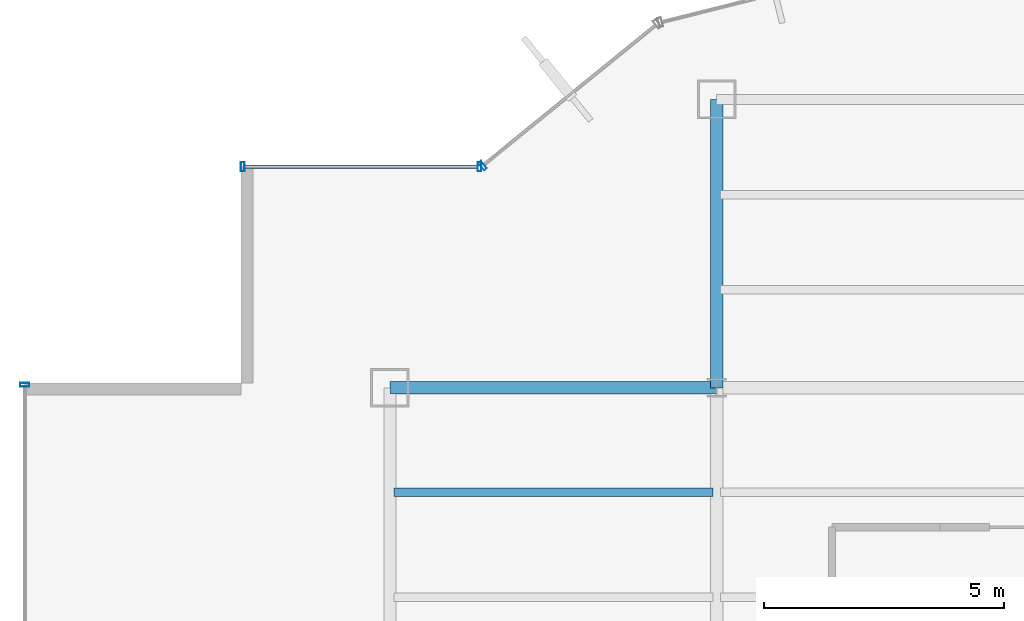
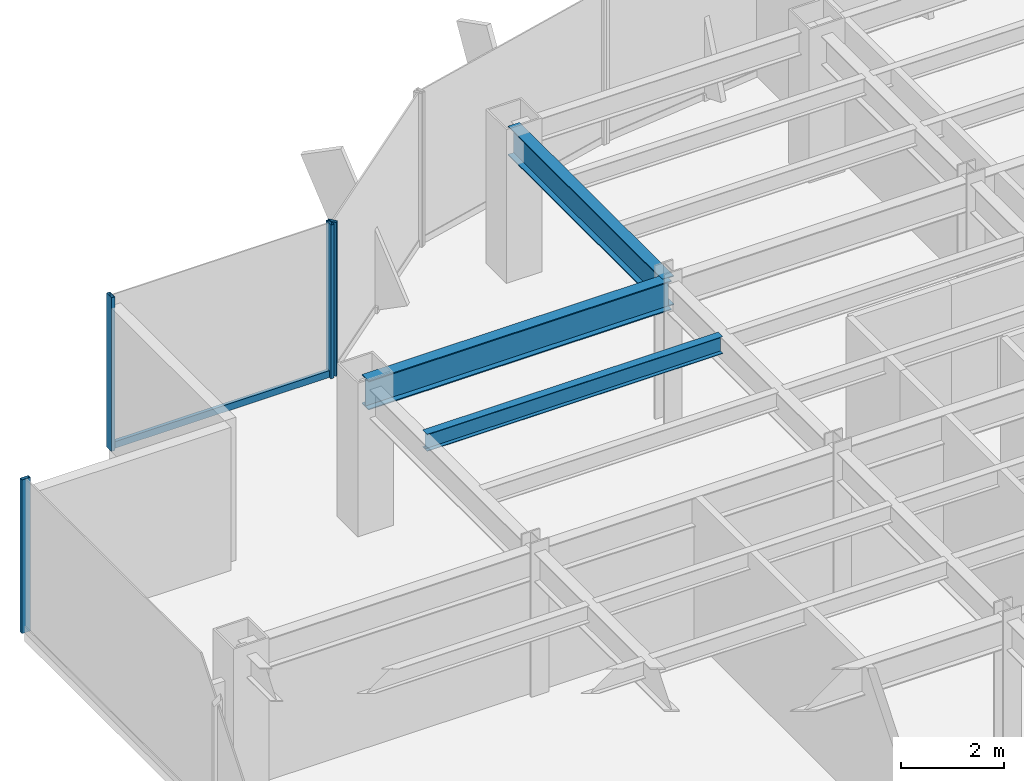
# One storey, part 13 of 26: 5 members, 3 beams, 3 elements without a shape of their own.
"""IFC4 building model written with IfcOpenShell, lengths in metres."""

from ifc_helpers import new_model, si_unit, derived_unit, direction, frame, origin, origin_2d, place, context, subcontext, project, spatial, hollow_rectangle, i_section, extrude, source, transform, mapped, material, material_profile, profile_set, type_object, element, aggregate, save


model = new_model("IFC4")

# Units and contexts
model_context = context("Model", 3, precision=1e-05, world=origin(), true_north=direction((0.0, 1.0)))
body_context = subcontext(model_context, "Body", "Model", "MODEL_VIEW")
ifc_project = project(units=[si_unit("LENGTHUNIT", "METRE"), si_unit("AREAUNIT", "SQUARE_METRE"), si_unit("VOLUMEUNIT", "CUBIC_METRE"), si_unit("PLANEANGLEUNIT", "RADIAN"), si_unit("MASSUNIT", "GRAM", prefix="KILO"), derived_unit("THERMALTRANSMITTANCEUNIT", [(si_unit("POWERUNIT", "WATT"), 1), (si_unit("LENGTHUNIT", "METRE"), -2), (si_unit("THERMODYNAMICTEMPERATUREUNIT", "KELVIN"), -1)])], contexts=[model_context])

# Site, building, storey
site_placement = place(None, origin())
site = spatial("IfcSite", under=ifc_project, at=site_placement, CompositionType="ELEMENT")
building_placement = place(site_placement, origin())
building = spatial("IfcBuilding", under=site, at=building_placement, Name="Skarnbrae Concourse Arena and Tower", CompositionType="ELEMENT")
storey_placement = place(building_placement, frame((0.0, 0.0, 128.800048828125)))
storey = spatial("IfcBuildingStorey", under=building, at=storey_placement, Name="L32", CompositionType="ELEMENT", Elevation=128.800048828125)

# Beams
ifc_material_1 = material(Name="Steel CSA G40.21 350W", Category="steel")
ifc_material_profile_1 = material_profile(ifc_material_1, i_section(OverallWidth=0.256103515625, OverallDepth=0.693115234375, WebThickness=0.014404296875, FlangeThickness=0.023681640625, at=origin_2d()), Name="W690X170")
ifc_profile_set_1 = profile_set([ifc_material_profile_1], Name="Steel CSA G40.21 350W")
beam_type_1 = type_object("IfcBeamType", Name="BM-GIRD-W690X170", PredefinedType="BEAM", material=ifc_profile_set_1)
shared_shape_1 = source(origin(), body_context, "Body", "SweptSolid", [
    extrude(i_section(OverallWidth=0.256103515625, OverallDepth=0.693115234375, WebThickness=0.014404296875, FlangeThickness=0.023681640625, at=origin_2d()), origin(), (0.0, 0.0, 1.0), 6.7998046875),
])
beam_1_placement = place(storey_placement, frame((7.60009765625, 34.39990234375, 3.053466796875), z_axis=(1.0, 0.0, 0.0), x_axis=(0.0, 1.0, 0.0)))
element("IfcBeam", 1, at=beam_1_placement, inside=storey, type_object=beam_type_1, Name="L32 Primary E-W girder Y34.4-1", PredefinedType="BEAM", context=body_context, shape_type="MappedRepresentation", body=[
    mapped(shared_shape_1, transform((0.0, 0.0, 0.0))),
])
shared_shape_2 = source(origin(), body_context, "Body", "SweptSolid", [
    extrude(i_section(OverallWidth=0.256103515625, OverallDepth=0.693115234375, WebThickness=0.014404296875, FlangeThickness=0.023681640625, at=origin_2d()), origin(), (0.0, 0.0, 1.0), 6.0),
])
beam_2_placement = place(storey_placement, frame((14.39990234375, 34.39990234375, 3.053466796875), z_axis=(0.0, 1.0, 0.0), x_axis=(-1.0, 0.0, 0.0)))
element("IfcBeam", 2, at=beam_2_placement, inside=storey, type_object=beam_type_1, Name="L32 Primary N-S girder X14.4-4", PredefinedType="BEAM", context=body_context, shape_type="MappedRepresentation", body=[
    mapped(shared_shape_2, transform((0.0, 0.0, 0.0))),
])
ifc_material_profile_2 = material_profile(ifc_material_1, i_section(OverallWidth=0.177978515625, OverallDepth=0.406982421875, WebThickness=0.0078125, FlangeThickness=0.0126953125, at=origin_2d()), Name="W410X60")
ifc_profile_set_2 = profile_set([ifc_material_profile_2], Name="Steel CSA G40.21 350W")
beam_type_2 = type_object("IfcBeamType", Name="BM-JOIST-W410X60", PredefinedType="JOIST", material=ifc_profile_set_2)
shared_shape_3 = source(origin(), body_context, "Body", "SweptSolid", [
    extrude(i_section(OverallWidth=0.177978515625, OverallDepth=0.406982421875, WebThickness=0.0078125, FlangeThickness=0.0126953125, at=origin_2d()), origin(), (0.0, 0.0, 1.0), 6.64013671875),
])
beam_3_placement = place(storey_placement, frame((7.679931640625, 32.221923828125, 3.196533203125), z_axis=(1.0, 0.0, 0.0), x_axis=(0.0, 1.0, 0.0)))
element("IfcBeam", 3, at=beam_3_placement, inside=storey, type_object=beam_type_2, Name="L32 Secondary floor joist 3.2.1", PredefinedType="JOIST", context=body_context, shape_type="MappedRepresentation", body=[
    mapped(shared_shape_3, transform((0.0, 0.0, 0.0))),
])

# Curtain wall, member
ifc_material_2 = material(Name="Bronze anodised aluminium 6063-T6", Category="aluminium")
curtain_wall_type = type_object("IfcCurtainWallType", Name="CW-SYS-04-MIDZONE", PredefinedType="USERDEFINED", material=ifc_material_2)
curtain_wall_1_placement = place(storey_placement, origin())
curtain_wall_1 = element("IfcCurtainWall", 4, at=curtain_wall_1_placement, inside=storey, type_object=curtain_wall_type, Name="L32 Unitised curtain wall CW-L32-E16", ObjectType="UNITISED CURTAIN WALL", PredefinedType="USERDEFINED")
ifc_material_profile_3 = material_profile(ifc_material_2, hollow_rectangle(XDim=0.074951171875, YDim=0.159912109375, WallThickness=0.00439453125, at=origin_2d()), Name="ALU-TRAN-75X160")
ifc_profile_set_3 = profile_set([ifc_material_profile_3], Name="Bronze anodised aluminium 6063-T6")
member_type_1 = type_object("IfcMemberType", Name="CWT-CW-04", PredefinedType="USERDEFINED", material=ifc_profile_set_3)
shared_shape_4 = source(origin(), body_context, "Body", "SweptSolid", [
    extrude(hollow_rectangle(XDim=0.074951171875, YDim=0.159912109375, WallThickness=0.00439453125, at=origin_2d()), origin(), (0.0, 0.0, 1.0), 4.85009765625),
])
member_1_placement = place(storey_placement, frame((9.425048828125, 39.0, 0.079833984375), z_axis=(-1.0, 0.0, 0.0), x_axis=(0.0, -1.0, 0.0)))
member_1 = element("IfcMember", 5, at=member_1_placement, type_object=member_type_1, Name="CW-L32-E16 Transom 1", ObjectType="TRANSOM", PredefinedType="USERDEFINED", context=body_context, shape_type="MappedRepresentation", body=[
    mapped(shared_shape_4, transform((0.0, 0.0, 0.0))),
])

curtain_wall_2_placement = place(storey_placement, origin())
curtain_wall_2 = element("IfcCurtainWall", 6, at=curtain_wall_2_placement, inside=storey, type_object=curtain_wall_type, Name="L32 Unitised curtain wall CW-L32-E15", ObjectType="UNITISED CURTAIN WALL", PredefinedType="USERDEFINED")
ifc_material_profile_4 = material_profile(ifc_material_2, hollow_rectangle(XDim=0.074951171875, YDim=0.195068359375, WallThickness=0.00439453125, at=origin_2d()), Name="ALU-MULL-75X195")
ifc_profile_set_4 = profile_set([ifc_material_profile_4], Name="Bronze anodised aluminium 6063-T6")
member_type_2 = type_object("IfcMemberType", Name="CWM-CW-04", PredefinedType="MULLION", material=ifc_profile_set_4)
shared_shape_5 = source(origin(), body_context, "Body", "SweptSolid", [
    extrude(hollow_rectangle(XDim=0.074951171875, YDim=0.195068359375, WallThickness=0.00439453125, at=origin_2d()), origin(), (0.0, 0.0, 1.0), 3.64990234375),
])
member_2_placement = place(storey_placement, frame((9.529052734375, 39.023681640625, 0.0), z_axis=(0.0, 0.0, 1.0), x_axis=(-0.776241200471, -0.630436038542, 0.0)))
member_2 = element("IfcMember", 7, at=member_2_placement, type_object=member_type_2, Name="CW-L32-E15 Mullion 2", PredefinedType="MULLION", context=body_context, shape_type="MappedRepresentation", body=[
    mapped(shared_shape_5, transform((0.0, 0.0, 0.0))),
])
aggregate(curtain_wall_2, [member_2])

# Member
member_3_placement = place(storey_placement, frame((9.46240234375, 39.0, 0.0), z_axis=(0.0, 0.0, 1.0), x_axis=(-1.0, 0.0, 0.0)))
member_3 = element("IfcMember", 8, at=member_3_placement, type_object=member_type_2, Name="CW-L32-E16 Mullion 1", PredefinedType="MULLION", context=body_context, shape_type="MappedRepresentation", body=[
    mapped(shared_shape_5, transform((0.0, 0.0, 0.0))),
])

member_4_placement = place(storey_placement, frame((4.53759765625, 39.0, 0.0), z_axis=(0.0, 0.0, 1.0), x_axis=(-1.0, 0.0, 0.0)))
member_4 = element("IfcMember", 9, at=member_4_placement, type_object=member_type_2, Name="CW-L32-E16 Mullion 2", PredefinedType="MULLION", context=body_context, shape_type="MappedRepresentation", body=[
    mapped(shared_shape_5, transform((0.0, 0.0, 0.0))),
])

aggregate(curtain_wall_1, [member_3, member_4, member_1])

# Curtain wall, member
curtain_wall_3_placement = place(storey_placement, origin())
curtain_wall_3 = element("IfcCurtainWall", 10, at=curtain_wall_3_placement, inside=storey, type_object=curtain_wall_type, Name="L32 Unitised curtain wall CW-L32-E19", ObjectType="UNITISED CURTAIN WALL", PredefinedType="USERDEFINED")
member_5_placement = place(storey_placement, frame((0.0, 34.46240234375, 0.0), z_axis=(0.0, 0.0, 1.0), x_axis=(0.0, -1.0, 0.0)))
member_5 = element("IfcMember", 11, at=member_5_placement, type_object=member_type_2, Name="CW-L32-E19 Mullion 1", PredefinedType="MULLION", context=body_context, shape_type="MappedRepresentation", body=[
    mapped(shared_shape_5, transform((0.0, 0.0, 0.0))),
])
aggregate(curtain_wall_3, [member_5])

save(model, "model.ifc")
